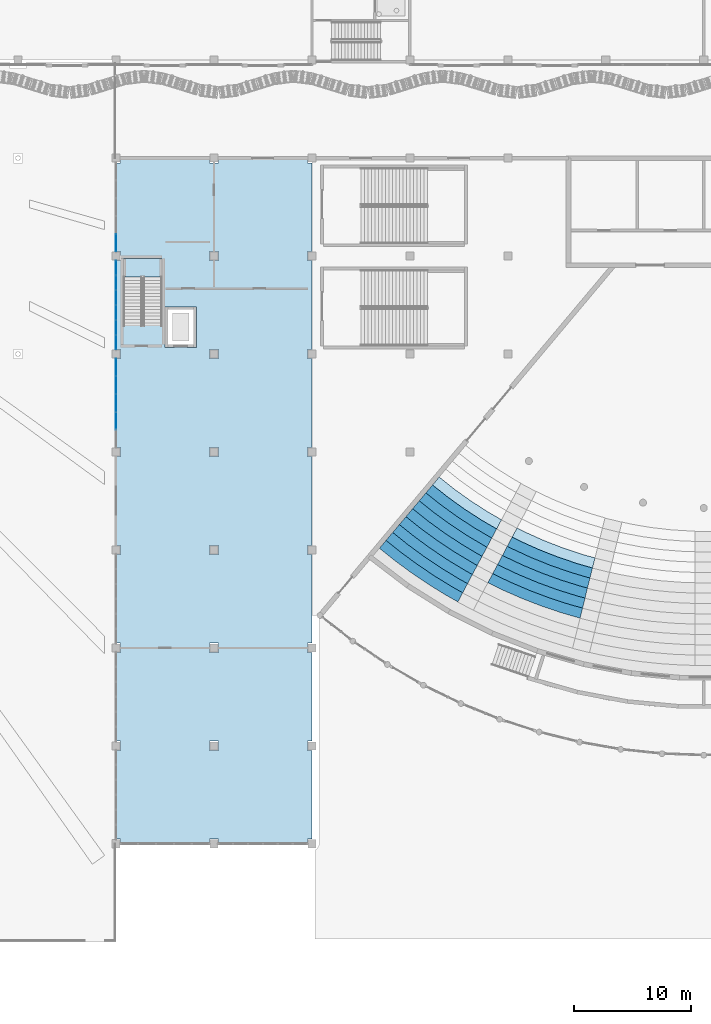
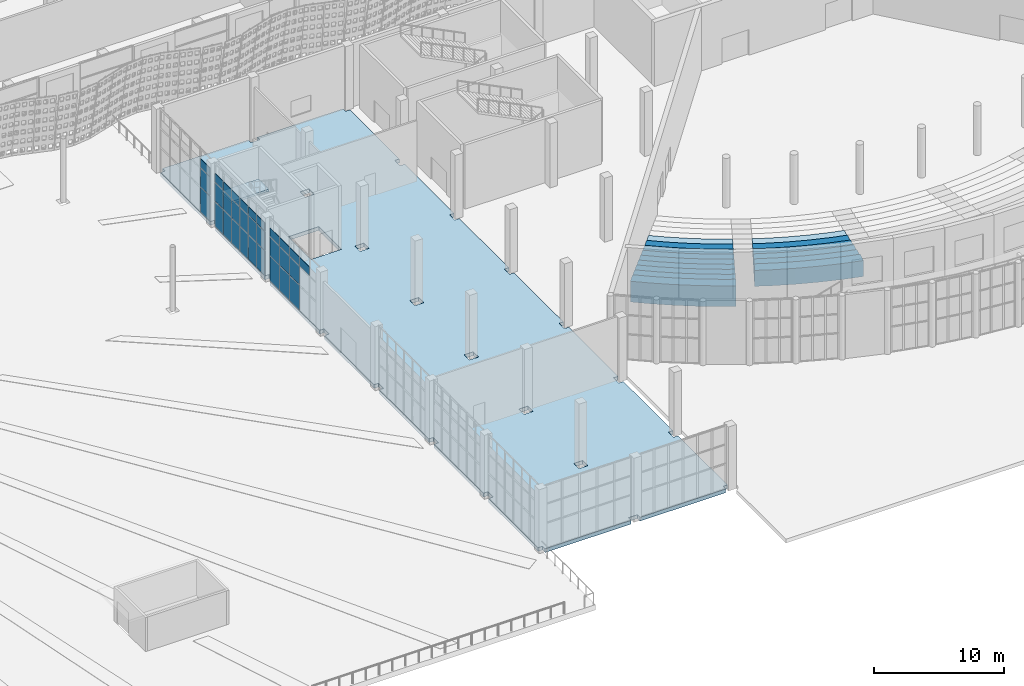
# One storey, part 85 of 210: 31 plates, 17 slabs, 4 elements without a shape of their own.
"""IFC4 building model written with IfcOpenShell, lengths in metres."""

from ifc_helpers import new_model, si_unit, direction, frame, origin, origin_2d, place, context, subcontext, project, spatial, polyline, rectangle, outline, extrude, material, layer, layer_set, type_object, element, aggregate, save


model = new_model("IFC4")

# Units and contexts
model_context = context("Model", 3, precision=1e-05, world=origin(), true_north=direction((0.0, 1.0)))
body_context = subcontext(model_context, "Body", "Model", "MODEL_VIEW")
ifc_project = project(units=[si_unit("LENGTHUNIT", "METRE"), si_unit("AREAUNIT", "SQUARE_METRE"), si_unit("VOLUMEUNIT", "CUBIC_METRE"), si_unit("PLANEANGLEUNIT", "RADIAN"), si_unit("MASSUNIT", "GRAM", prefix="KILO")], contexts=[model_context])

# Site, building, storey
site_placement = place(None, origin())
site = spatial("IfcSite", under=ifc_project, at=site_placement, CompositionType="ELEMENT")
building_placement = place(site_placement, origin())
building = spatial("IfcBuilding", under=site, at=building_placement, Name="Rain Tree Exposition and Congress Centre", CompositionType="ELEMENT")
storey_placement = place(building_placement, origin())
storey = spatial("IfcBuildingStorey", under=building, at=storey_placement, Name="L00", CompositionType="ELEMENT", Elevation=0.0)

# Slab
ifc_material_1 = material(Name="Precast concrete C50/60", Category="concrete")
ifc_layer_1 = layer(ifc_material_1, 0.35009765625)
ifc_layer_set_1 = layer_set([ifc_layer_1], Name="Precast concrete C50/60")
slab_type_1 = type_object("IfcSlabType", Name="Foyer deck slab 350", PredefinedType="FLOOR", material=ifc_layer_set_1)
slab_1_placement = place(storey_placement, frame((0.0, 0.0, -0.35009765625)))
element("IfcSlab", 1, at=slab_1_placement, inside=storey, type_object=slab_type_1, Name="Foyer deck", PredefinedType="FLOOR", context=body_context, shape_type="SweptSolid", body=[
    extrude(outline(polyline([(168.0, 8.800048828125), (168.0, 16.39990234375), (167.60009765625, 16.39990234375), (167.60009765625, 17.199951171875), (168.0, 17.199951171875), (168.0, 24.800048828125), (167.60009765625, 24.800048828125), (167.60009765625, 25.60009765625), (168.0, 25.60009765625), (168.0, 33.199951171875), (167.60009765625, 33.199951171875), (167.60009765625, 34.0), (168.0, 34.0), (168.0, 41.60009765625), (167.60009765625, 41.60009765625), (167.60009765625, 42.39990234375), (168.0, 42.39990234375), (168.0, 50.0), (167.60009765625, 50.0), (167.60009765625, 50.800048828125), (168.0, 50.800048828125), (168.0, 58.39990234375), (167.60009765625, 58.39990234375), (167.60009765625, 59.199951171875), (168.0, 59.199951171875), (168.0, 66.800048828125), (167.60009765625, 66.800048828125), (167.60009765625, 67.199951171875), (160.0, 67.199951171875), (160.0, 66.800048828125), (159.199951171875, 66.800048828125), (159.199951171875, 67.199951171875), (151.60009765625, 67.199951171875), (151.60009765625, 66.800048828125), (151.199951171875, 66.800048828125), (151.199951171875, 59.199951171875), (151.60009765625, 59.199951171875), (151.60009765625, 58.39990234375), (151.199951171875, 58.39990234375), (151.199951171875, 50.800048828125), (151.60009765625, 50.800048828125), (151.60009765625, 50.0), (151.199951171875, 50.0), (151.199951171875, 42.39990234375), (151.60009765625, 42.39990234375), (151.60009765625, 41.60009765625), (151.199951171875, 41.60009765625), (151.199951171875, 34.0), (151.60009765625, 34.0), (151.60009765625, 33.199951171875), (151.199951171875, 33.199951171875), (151.199951171875, 25.60009765625), (151.60009765625, 25.60009765625), (151.60009765625, 24.800048828125), (151.199951171875, 24.800048828125), (151.199951171875, 17.199951171875), (151.60009765625, 17.199951171875), (151.60009765625, 16.39990234375), (151.199951171875, 16.39990234375), (151.199951171875, 8.800048828125), (151.60009765625, 8.800048828125), (151.60009765625, 8.39990234375), (159.199951171875, 8.39990234375), (159.199951171875, 8.800048828125), (160.0, 8.800048828125), (160.0, 8.39990234375), (167.60009765625, 8.39990234375), (167.60009765625, 8.800048828125), (168.0, 8.800048828125)]), holes=[polyline([(160.0, 50.0), (160.0, 50.800048828125), (159.199951171875, 50.800048828125), (159.199951171875, 50.0), (160.0, 50.0)]), polyline([(158.10009765625, 54.449951171875), (155.39990234375, 54.449951171875), (155.39990234375, 50.949951171875), (158.10009765625, 50.949951171875), (158.10009765625, 54.449951171875)]), polyline([(160.0, 59.199951171875), (159.199951171875, 59.199951171875), (159.199951171875, 58.39990234375), (160.0, 58.39990234375), (160.0, 59.199951171875)]), polyline([(160.0, 16.39990234375), (160.0, 17.199951171875), (159.199951171875, 17.199951171875), (159.199951171875, 16.39990234375), (160.0, 16.39990234375)]), polyline([(160.0, 24.800048828125), (160.0, 25.60009765625), (159.199951171875, 25.60009765625), (159.199951171875, 24.800048828125), (160.0, 24.800048828125)]), polyline([(159.199951171875, 34.0), (159.199951171875, 33.199951171875), (160.0, 33.199951171875), (160.0, 34.0), (159.199951171875, 34.0)]), polyline([(160.0, 41.60009765625), (160.0, 42.39990234375), (159.199951171875, 42.39990234375), (159.199951171875, 41.60009765625), (160.0, 41.60009765625)])]), origin(), (0.0, 0.0, 1.0), 0.35009765625),
])

# Curtain wall, plates
ifc_material_2 = material(Name="Aluminium", Category="aluminium")
ifc_layer_2 = layer(ifc_material_2, 0.10009765625)
ifc_layer_set_2 = layer_set([ifc_layer_2], Name="Aluminium")
curtain_wall_type = type_object("IfcCurtainWallType", Name="Curtain wall congress", PredefinedType="NOTDEFINED", material=ifc_layer_set_2)
curtain_wall_1_placement = place(storey_placement, origin())
curtain_wall_1 = element("IfcCurtainWall", 2, at=curtain_wall_1_placement, inside=storey, type_object=curtain_wall_type, Name="Foyer curtain wall L00 bay 5", PredefinedType="NOTDEFINED")
ifc_material_3 = material(Name="Double glazed unit", Category="glass")
ifc_layer_3 = layer(ifc_material_3, 0.028076171875)
ifc_layer_set_3 = layer_set([ifc_layer_3], Name="Double glazed unit")
plate_type = type_object("IfcPlateType", Name="Glazing panel 28 congress", PredefinedType="CURTAIN_PANEL", material=ifc_layer_set_3)
plate_1_placement = place(storey_placement, frame((151.199951171875, 44.659912109375, 4.22998046875), z_axis=(0.0, 0.0, 1.0), x_axis=(0.0, 1.0, 0.0)))
plate_1 = element("IfcPlate", 3, at=plate_1_placement, type_object=plate_type, Name="CWG305 panel 2.3", PredefinedType="CURTAIN_PANEL", context=body_context, shape_type="SweptSolid", body=[
    extrude(rectangle(XDim=1.47998046875, YDim=0.028076171875, at=origin_2d()), origin(), (0.0, 0.0, 1.0), 0.7900390625),
])
plate_2_placement = place(storey_placement, frame((151.199951171875, 46.199951171875, 0.06005859375), z_axis=(0.0, 0.0, 1.0), x_axis=(0.0, 1.0, 0.0)))
plate_2 = element("IfcPlate", 4, at=plate_2_placement, type_object=plate_type, Name="CWG305 panel 3.1", PredefinedType="CURTAIN_PANEL", context=body_context, shape_type="SweptSolid", body=[
    extrude(rectangle(XDim=1.47998046875, YDim=0.028076171875, at=origin_2d()), origin(), (0.0, 0.0, 1.0), 2.31005859375),
])
plate_3_placement = place(storey_placement, frame((151.199951171875, 46.199951171875, 2.43017578125), z_axis=(0.0, 0.0, 1.0), x_axis=(0.0, 1.0, 0.0)))
plate_3 = element("IfcPlate", 5, at=plate_3_placement, type_object=plate_type, Name="CWG305 panel 3.2", PredefinedType="CURTAIN_PANEL", context=body_context, shape_type="SweptSolid", body=[
    extrude(rectangle(XDim=1.47998046875, YDim=0.028076171875, at=origin_2d()), origin(), (0.0, 0.0, 1.0), 1.739990234375),
])
plate_4_placement = place(storey_placement, frame((151.199951171875, 46.199951171875, 4.22998046875), z_axis=(0.0, 0.0, 1.0), x_axis=(0.0, 1.0, 0.0)))
plate_4 = element("IfcPlate", 6, at=plate_4_placement, type_object=plate_type, Name="CWG305 panel 3.3", PredefinedType="CURTAIN_PANEL", context=body_context, shape_type="SweptSolid", body=[
    extrude(rectangle(XDim=1.47998046875, YDim=0.028076171875, at=origin_2d()), origin(), (0.0, 0.0, 1.0), 0.7900390625),
])
plate_5_placement = place(storey_placement, frame((151.199951171875, 47.739990234375, 0.06005859375), z_axis=(0.0, 0.0, 1.0), x_axis=(0.0, 1.0, 0.0)))
plate_5 = element("IfcPlate", 7, at=plate_5_placement, type_object=plate_type, Name="CWG305 panel 4.1", PredefinedType="CURTAIN_PANEL", context=body_context, shape_type="SweptSolid", body=[
    extrude(rectangle(XDim=1.47998046875, YDim=0.028076171875, at=origin_2d()), origin(), (0.0, 0.0, 1.0), 2.31005859375),
])
plate_6_placement = place(storey_placement, frame((151.199951171875, 47.739990234375, 2.43017578125), z_axis=(0.0, 0.0, 1.0), x_axis=(0.0, 1.0, 0.0)))
plate_6 = element("IfcPlate", 8, at=plate_6_placement, type_object=plate_type, Name="CWG305 panel 4.2", PredefinedType="CURTAIN_PANEL", context=body_context, shape_type="SweptSolid", body=[
    extrude(rectangle(XDim=1.47998046875, YDim=0.028076171875, at=origin_2d()), origin(), (0.0, 0.0, 1.0), 1.739990234375),
])
plate_7_placement = place(storey_placement, frame((151.199951171875, 47.739990234375, 4.22998046875), z_axis=(0.0, 0.0, 1.0), x_axis=(0.0, 1.0, 0.0)))
plate_7 = element("IfcPlate", 9, at=plate_7_placement, type_object=plate_type, Name="CWG305 panel 4.3", PredefinedType="CURTAIN_PANEL", context=body_context, shape_type="SweptSolid", body=[
    extrude(rectangle(XDim=1.47998046875, YDim=0.028076171875, at=origin_2d()), origin(), (0.0, 0.0, 1.0), 0.7900390625),
])
plate_8_placement = place(storey_placement, frame((151.199951171875, 49.264892578125, 0.06005859375), z_axis=(0.0, 0.0, 1.0), x_axis=(0.0, 1.0, 0.0)))
plate_8 = element("IfcPlate", 10, at=plate_8_placement, type_object=plate_type, Name="CWG305 panel 5.1", PredefinedType="CURTAIN_PANEL", context=body_context, shape_type="SweptSolid", body=[
    extrude(rectangle(XDim=1.449951171875, YDim=0.028076171875, at=origin_2d()), origin(), (0.0, 0.0, 1.0), 2.31005859375),
])
plate_9_placement = place(storey_placement, frame((151.199951171875, 49.264892578125, 2.43017578125), z_axis=(0.0, 0.0, 1.0), x_axis=(0.0, 1.0, 0.0)))
plate_9 = element("IfcPlate", 11, at=plate_9_placement, type_object=plate_type, Name="CWG305 panel 5.2", PredefinedType="CURTAIN_PANEL", context=body_context, shape_type="SweptSolid", body=[
    extrude(rectangle(XDim=1.449951171875, YDim=0.028076171875, at=origin_2d()), origin(), (0.0, 0.0, 1.0), 1.739990234375),
])
plate_10_placement = place(storey_placement, frame((151.199951171875, 49.264892578125, 4.22998046875), z_axis=(0.0, 0.0, 1.0), x_axis=(0.0, 1.0, 0.0)))
plate_10 = element("IfcPlate", 12, at=plate_10_placement, type_object=plate_type, Name="CWG305 panel 5.3", PredefinedType="CURTAIN_PANEL", context=body_context, shape_type="SweptSolid", body=[
    extrude(rectangle(XDim=1.449951171875, YDim=0.028076171875, at=origin_2d()), origin(), (0.0, 0.0, 1.0), 0.7900390625),
])
aggregate(curtain_wall_1, [plate_1, plate_2, plate_3, plate_4, plate_5, plate_6, plate_7, plate_8, plate_9, plate_10])

curtain_wall_2_placement = place(storey_placement, origin())
curtain_wall_2 = element("IfcCurtainWall", 13, at=curtain_wall_2_placement, inside=storey, type_object=curtain_wall_type, Name="Foyer curtain wall L00 bay 6", PredefinedType="NOTDEFINED")
plate_11_placement = place(storey_placement, frame((151.199951171875, 51.40673828125, 0.06005859375), z_axis=(0.0, 0.0, 1.0), x_axis=(0.0, 1.0, 0.0)))
plate_11 = element("IfcPlate", 14, at=plate_11_placement, type_object=plate_type, Name="CWG306 panel 1.1", PredefinedType="CURTAIN_PANEL", context=body_context, shape_type="SweptSolid", body=[
    extrude(rectangle(XDim=1.193359375, YDim=0.028076171875, at=origin_2d()), origin(), (0.0, 0.0, 1.0), 2.31005859375),
])
plate_12_placement = place(storey_placement, frame((151.199951171875, 51.40673828125, 2.43017578125), z_axis=(0.0, 0.0, 1.0), x_axis=(0.0, 1.0, 0.0)))
plate_12 = element("IfcPlate", 15, at=plate_12_placement, type_object=plate_type, Name="CWG306 panel 1.2", PredefinedType="CURTAIN_PANEL", context=body_context, shape_type="SweptSolid", body=[
    extrude(rectangle(XDim=1.193359375, YDim=0.028076171875, at=origin_2d()), origin(), (0.0, 0.0, 1.0), 1.739990234375),
])
plate_13_placement = place(storey_placement, frame((151.199951171875, 51.40673828125, 4.22998046875), z_axis=(0.0, 0.0, 1.0), x_axis=(0.0, 1.0, 0.0)))
plate_13 = element("IfcPlate", 16, at=plate_13_placement, type_object=plate_type, Name="CWG306 panel 1.3", PredefinedType="CURTAIN_PANEL", context=body_context, shape_type="SweptSolid", body=[
    extrude(rectangle(XDim=1.193359375, YDim=0.028076171875, at=origin_2d()), origin(), (0.0, 0.0, 1.0), 0.7900390625),
])
plate_14_placement = place(storey_placement, frame((151.199951171875, 52.675048828125, 0.06005859375), z_axis=(0.0, 0.0, 1.0), x_axis=(0.0, 1.0, 0.0)))
plate_14 = element("IfcPlate", 17, at=plate_14_placement, type_object=plate_type, Name="CWG306 panel 2.1", PredefinedType="CURTAIN_PANEL", context=body_context, shape_type="SweptSolid", body=[
    extrude(rectangle(XDim=1.223388671875, YDim=0.028076171875, at=origin_2d()), origin(), (0.0, 0.0, 1.0), 2.31005859375),
])
plate_15_placement = place(storey_placement, frame((151.199951171875, 52.675048828125, 2.43017578125), z_axis=(0.0, 0.0, 1.0), x_axis=(0.0, 1.0, 0.0)))
plate_15 = element("IfcPlate", 18, at=plate_15_placement, type_object=plate_type, Name="CWG306 panel 2.2", PredefinedType="CURTAIN_PANEL", context=body_context, shape_type="SweptSolid", body=[
    extrude(rectangle(XDim=1.223388671875, YDim=0.028076171875, at=origin_2d()), origin(), (0.0, 0.0, 1.0), 1.739990234375),
])
plate_16_placement = place(storey_placement, frame((151.199951171875, 52.675048828125, 4.22998046875), z_axis=(0.0, 0.0, 1.0), x_axis=(0.0, 1.0, 0.0)))
plate_16 = element("IfcPlate", 19, at=plate_16_placement, type_object=plate_type, Name="CWG306 panel 2.3", PredefinedType="CURTAIN_PANEL", context=body_context, shape_type="SweptSolid", body=[
    extrude(rectangle(XDim=1.223388671875, YDim=0.028076171875, at=origin_2d()), origin(), (0.0, 0.0, 1.0), 0.7900390625),
])
plate_17_placement = place(storey_placement, frame((151.199951171875, 53.958251953125, 0.06005859375), z_axis=(0.0, 0.0, 1.0), x_axis=(0.0, 1.0, 0.0)))
plate_17 = element("IfcPlate", 20, at=plate_17_placement, type_object=plate_type, Name="CWG306 panel 3.1", PredefinedType="CURTAIN_PANEL", context=body_context, shape_type="SweptSolid", body=[
    extrude(rectangle(XDim=1.223388671875, YDim=0.028076171875, at=origin_2d()), origin(), (0.0, 0.0, 1.0), 2.31005859375),
])
plate_18_placement = place(storey_placement, frame((151.199951171875, 53.958251953125, 2.43017578125), z_axis=(0.0, 0.0, 1.0), x_axis=(0.0, 1.0, 0.0)))
plate_18 = element("IfcPlate", 21, at=plate_18_placement, type_object=plate_type, Name="CWG306 panel 3.2", PredefinedType="CURTAIN_PANEL", context=body_context, shape_type="SweptSolid", body=[
    extrude(rectangle(XDim=1.223388671875, YDim=0.028076171875, at=origin_2d()), origin(), (0.0, 0.0, 1.0), 1.739990234375),
])
plate_19_placement = place(storey_placement, frame((151.199951171875, 53.958251953125, 4.22998046875), z_axis=(0.0, 0.0, 1.0), x_axis=(0.0, 1.0, 0.0)))
plate_19 = element("IfcPlate", 22, at=plate_19_placement, type_object=plate_type, Name="CWG306 panel 3.3", PredefinedType="CURTAIN_PANEL", context=body_context, shape_type="SweptSolid", body=[
    extrude(rectangle(XDim=1.223388671875, YDim=0.028076171875, at=origin_2d()), origin(), (0.0, 0.0, 1.0), 0.7900390625),
])
plate_20_placement = place(storey_placement, frame((151.199951171875, 55.24169921875, 0.06005859375), z_axis=(0.0, 0.0, 1.0), x_axis=(0.0, 1.0, 0.0)))
plate_20 = element("IfcPlate", 23, at=plate_20_placement, type_object=plate_type, Name="CWG306 panel 4.1", PredefinedType="CURTAIN_PANEL", context=body_context, shape_type="SweptSolid", body=[
    extrude(rectangle(XDim=1.223388671875, YDim=0.028076171875, at=origin_2d()), origin(), (0.0, 0.0, 1.0), 2.31005859375),
])
plate_21_placement = place(storey_placement, frame((151.199951171875, 55.24169921875, 2.43017578125), z_axis=(0.0, 0.0, 1.0), x_axis=(0.0, 1.0, 0.0)))
plate_21 = element("IfcPlate", 24, at=plate_21_placement, type_object=plate_type, Name="CWG306 panel 4.2", PredefinedType="CURTAIN_PANEL", context=body_context, shape_type="SweptSolid", body=[
    extrude(rectangle(XDim=1.223388671875, YDim=0.028076171875, at=origin_2d()), origin(), (0.0, 0.0, 1.0), 1.739990234375),
])
plate_22_placement = place(storey_placement, frame((151.199951171875, 55.24169921875, 4.22998046875), z_axis=(0.0, 0.0, 1.0), x_axis=(0.0, 1.0, 0.0)))
plate_22 = element("IfcPlate", 25, at=plate_22_placement, type_object=plate_type, Name="CWG306 panel 4.3", PredefinedType="CURTAIN_PANEL", context=body_context, shape_type="SweptSolid", body=[
    extrude(rectangle(XDim=1.223388671875, YDim=0.028076171875, at=origin_2d()), origin(), (0.0, 0.0, 1.0), 0.7900390625),
])
plate_23_placement = place(storey_placement, frame((151.199951171875, 56.52490234375, 0.06005859375), z_axis=(0.0, 0.0, 1.0), x_axis=(0.0, 1.0, 0.0)))
plate_23 = element("IfcPlate", 26, at=plate_23_placement, type_object=plate_type, Name="CWG306 panel 5.1", PredefinedType="CURTAIN_PANEL", context=body_context, shape_type="SweptSolid", body=[
    extrude(rectangle(XDim=1.223388671875, YDim=0.028076171875, at=origin_2d()), origin(), (0.0, 0.0, 1.0), 2.31005859375),
])
plate_24_placement = place(storey_placement, frame((151.199951171875, 56.52490234375, 2.43017578125), z_axis=(0.0, 0.0, 1.0), x_axis=(0.0, 1.0, 0.0)))
plate_24 = element("IfcPlate", 27, at=plate_24_placement, type_object=plate_type, Name="CWG306 panel 5.2", PredefinedType="CURTAIN_PANEL", context=body_context, shape_type="SweptSolid", body=[
    extrude(rectangle(XDim=1.223388671875, YDim=0.028076171875, at=origin_2d()), origin(), (0.0, 0.0, 1.0), 1.739990234375),
])
plate_25_placement = place(storey_placement, frame((151.199951171875, 56.52490234375, 4.22998046875), z_axis=(0.0, 0.0, 1.0), x_axis=(0.0, 1.0, 0.0)))
plate_25 = element("IfcPlate", 28, at=plate_25_placement, type_object=plate_type, Name="CWG306 panel 5.3", PredefinedType="CURTAIN_PANEL", context=body_context, shape_type="SweptSolid", body=[
    extrude(rectangle(XDim=1.223388671875, YDim=0.028076171875, at=origin_2d()), origin(), (0.0, 0.0, 1.0), 0.7900390625),
])
plate_26_placement = place(storey_placement, frame((151.199951171875, 57.793212890625, 0.06005859375), z_axis=(0.0, 0.0, 1.0), x_axis=(0.0, 1.0, 0.0)))
plate_26 = element("IfcPlate", 29, at=plate_26_placement, type_object=plate_type, Name="CWG306 panel 6.1", PredefinedType="CURTAIN_PANEL", context=body_context, shape_type="SweptSolid", body=[
    extrude(rectangle(XDim=1.193359375, YDim=0.028076171875, at=origin_2d()), origin(), (0.0, 0.0, 1.0), 2.31005859375),
])
plate_27_placement = place(storey_placement, frame((151.199951171875, 57.793212890625, 2.43017578125), z_axis=(0.0, 0.0, 1.0), x_axis=(0.0, 1.0, 0.0)))
plate_27 = element("IfcPlate", 30, at=plate_27_placement, type_object=plate_type, Name="CWG306 panel 6.2", PredefinedType="CURTAIN_PANEL", context=body_context, shape_type="SweptSolid", body=[
    extrude(rectangle(XDim=1.193359375, YDim=0.028076171875, at=origin_2d()), origin(), (0.0, 0.0, 1.0), 1.739990234375),
])
plate_28_placement = place(storey_placement, frame((151.199951171875, 57.793212890625, 4.22998046875), z_axis=(0.0, 0.0, 1.0), x_axis=(0.0, 1.0, 0.0)))
plate_28 = element("IfcPlate", 31, at=plate_28_placement, type_object=plate_type, Name="CWG306 panel 6.3", PredefinedType="CURTAIN_PANEL", context=body_context, shape_type="SweptSolid", body=[
    extrude(rectangle(XDim=1.193359375, YDim=0.028076171875, at=origin_2d()), origin(), (0.0, 0.0, 1.0), 0.7900390625),
])
aggregate(curtain_wall_2, [plate_11, plate_12, plate_13, plate_14, plate_15, plate_16, plate_17, plate_18, plate_19, plate_20, plate_21, plate_22, plate_23, plate_24, plate_25, plate_26, plate_27, plate_28])

curtain_wall_3_placement = place(storey_placement, origin())
curtain_wall_3 = element("IfcCurtainWall", 32, at=curtain_wall_3_placement, inside=storey, type_object=curtain_wall_type, Name="Foyer curtain wall L00 bay 7", PredefinedType="NOTDEFINED")
plate_29_placement = place(storey_placement, frame((151.199951171875, 59.93505859375, 0.06005859375), z_axis=(0.0, 0.0, 1.0), x_axis=(0.0, 1.0, 0.0)))
plate_29 = element("IfcPlate", 33, at=plate_29_placement, type_object=plate_type, Name="CWG307 panel 1.1", PredefinedType="CURTAIN_PANEL", context=body_context, shape_type="SweptSolid", body=[
    extrude(rectangle(XDim=1.449951171875, YDim=0.028076171875, at=origin_2d()), origin(), (0.0, 0.0, 1.0), 2.31005859375),
])
plate_30_placement = place(storey_placement, frame((151.199951171875, 59.93505859375, 2.43017578125), z_axis=(0.0, 0.0, 1.0), x_axis=(0.0, 1.0, 0.0)))
plate_30 = element("IfcPlate", 34, at=plate_30_placement, type_object=plate_type, Name="CWG307 panel 1.2", PredefinedType="CURTAIN_PANEL", context=body_context, shape_type="SweptSolid", body=[
    extrude(rectangle(XDim=1.449951171875, YDim=0.028076171875, at=origin_2d()), origin(), (0.0, 0.0, 1.0), 1.739990234375),
])
plate_31_placement = place(storey_placement, frame((151.199951171875, 59.93505859375, 4.22998046875), z_axis=(0.0, 0.0, 1.0), x_axis=(0.0, 1.0, 0.0)))
plate_31 = element("IfcPlate", 35, at=plate_31_placement, type_object=plate_type, Name="CWG307 panel 1.3", PredefinedType="CURTAIN_PANEL", context=body_context, shape_type="SweptSolid", body=[
    extrude(rectangle(XDim=1.449951171875, YDim=0.028076171875, at=origin_2d()), origin(), (0.0, 0.0, 1.0), 0.7900390625),
])
aggregate(curtain_wall_3, [plate_29, plate_30, plate_31])

# Stair, slab
ifc_material_4 = material(Name="Concrete C40/50", Category="concrete")
stair_type = type_object("IfcStairType", Name="Half-turn stair congress", PredefinedType="HALF_TURN_STAIR", material=ifc_material_4)
stair_placement = place(storey_placement, origin())
stair = element("IfcStair", 36, at=stair_placement, inside=storey, type_object=stair_type, Name="L00 Stair ST-G1", PredefinedType="HALF_TURN_STAIR")
ifc_material_5 = material(Name="Concrete C40/50", Category="concrete")
ifc_layer_4 = layer(ifc_material_5, 0.199951171875)
ifc_layer_set_4 = layer_set([ifc_layer_4], Name="Concrete C40/50")
slab_type_2 = type_object("IfcSlabType", Name="Stair landing slab 200", PredefinedType="LANDING", material=ifc_layer_set_4)
slab_2_placement = place(storey_placement, frame((0.0, 0.0, 2.800048828125)))
slab_2 = element("IfcSlab", 37, at=slab_2_placement, type_object=slab_type_2, Name="ST-G1 landing 1", PredefinedType="LANDING", context=body_context, shape_type="SweptSolid", body=[
    extrude(outline(polyline([(155.14990234375, 57.0), (155.14990234375, 58.60009765625), (151.85009765625, 58.60009765625), (151.85009765625, 57.0), (155.14990234375, 57.0)])), origin(), (0.0, 0.0, 1.0), 0.199951171875),
])
aggregate(stair, [slab_2])

# Slabs
ifc_material_6 = material(Name="Precast concrete C50/60", Category="concrete")
ifc_layer_5 = layer(ifc_material_6, 0.300048828125)
ifc_layer_set_5 = layer_set([ifc_layer_5], Name="Precast concrete C50/60")
slab_type_3 = type_object("IfcSlabType", Name="Terrace step slab 300", PredefinedType="FLOOR", material=ifc_layer_set_5)
slab_3_placement = place(storey_placement, origin())
element("IfcSlab", 38, at=slab_3_placement, inside=storey, type_object=slab_type_3, Name="Stalls tier row 5", ObjectType="SEATING TIER", PredefinedType="USERDEFINED", context=body_context, shape_type="SweptSolid", body=[
    extrude(outline(polyline([(182.60498046875, 36.11572265625), (183.8427734375, 35.401123046875), (184.2587890625, 36.183349609375), (183.066650390625, 36.87158203125), (181.577880859375, 37.8330078125), (180.13916015625, 38.86767578125), (178.909912109375, 39.847900390625), (178.340576171875, 39.16943359375), (179.604248046875, 38.16162109375), (181.0791015625, 37.101318359375), (182.60498046875, 36.11572265625)])), origin(), (0.0, 0.0, 1.0), 0.75),
])
slab_4_placement = place(storey_placement, origin())
element("IfcSlab", 39, at=slab_4_placement, inside=storey, type_object=slab_type_3, Name="Stalls tier row 5", ObjectType="SEATING TIER", PredefinedType="USERDEFINED", context=body_context, shape_type="SweptSolid", body=[
    extrude(outline(polyline([(190.862548828125, 32.389892578125), (192.063720703125, 32.052001953125), (192.27783203125, 32.911376953125), (191.12353515625, 33.236083984375), (189.443603515625, 33.800537109375), (187.7939453125, 34.447998046875), (186.178466796875, 35.177001953125), (185.58447265625, 35.481689453125), (185.168701171875, 34.69970703125), (185.794189453125, 34.37890625), (187.449951171875, 33.6318359375), (189.140625, 32.96826171875), (190.862548828125, 32.389892578125)])), origin(), (0.0, 0.0, 1.0), 0.75),
])
slab_5_placement = place(storey_placement, origin())
element("IfcSlab", 40, at=slab_5_placement, inside=storey, type_object=slab_type_3, Name="Stalls tier row 6", ObjectType="SEATING TIER", PredefinedType="USERDEFINED", context=body_context, shape_type="SweptSolid", body=[
    extrude(outline(polyline([(181.97900390625, 35.4609375), (183.424560546875, 34.614501953125), (183.8427734375, 35.401123046875), (182.60498046875, 36.11572265625), (181.0791015625, 37.101318359375), (179.604248046875, 38.16162109375), (178.340576171875, 39.16943359375), (177.771240234375, 38.49072265625), (179.018310546875, 37.494384765625), (180.47412109375, 36.44189453125), (181.97900390625, 35.4609375)])), origin(), (0.0, 0.0, 1.0), 0.89990234375),
])
slab_6_placement = place(storey_placement, origin())
element("IfcSlab", 41, at=slab_6_placement, inside=storey, type_object=slab_type_3, Name="Stalls tier row 6", ObjectType="SEATING TIER", PredefinedType="USERDEFINED", context=body_context, shape_type="SweptSolid", body=[
    extrude(outline(polyline([(191.833984375, 31.186279296875), (191.846923828125, 31.18310546875), (192.063720703125, 32.052001953125), (190.862548828125, 32.389892578125), (189.140625, 32.96826171875), (187.449951171875, 33.6318359375), (185.794189453125, 34.37890625), (185.168701171875, 34.69970703125), (184.75146484375, 33.914794921875), (185.12158203125, 33.721435546875), (186.751953125, 32.967041015625), (188.41650390625, 32.292236328125), (190.112060546875, 31.6982421875), (191.833984375, 31.186279296875)])), origin(), (0.0, 0.0, 1.0), 0.89990234375),
])
slab_7_placement = place(storey_placement, origin())
element("IfcSlab", 42, at=slab_7_placement, inside=storey, type_object=slab_type_3, Name="Stalls tier row 7", ObjectType="SEATING TIER", PredefinedType="USERDEFINED", context=body_context, shape_type="SweptSolid", body=[
    extrude(outline(polyline([(182.88623046875, 33.897705078125), (183.0087890625, 33.83251953125), (183.424560546875, 34.614501953125), (181.97900390625, 35.4609375), (180.47412109375, 36.44189453125), (179.018310546875, 37.494384765625), (177.771240234375, 38.49072265625), (177.20166015625, 37.81201171875), (178.43359375, 36.826416015625), (179.871826171875, 35.781494140625), (181.357177734375, 34.8046875), (182.88623046875, 33.897705078125)])), origin(), (0.0, 0.0, 1.0), 1.050048828125),
])
slab_8_placement = place(storey_placement, origin())
element("IfcSlab", 43, at=slab_8_placement, inside=storey, type_object=slab_type_3, Name="Stalls tier row 7", ObjectType="SEATING TIER", PredefinedType="USERDEFINED", context=body_context, shape_type="SweptSolid", body=[
    extrude(outline(polyline([(191.07080078125, 30.479736328125), (191.635009765625, 30.332275390625), (191.846923828125, 31.18310546875), (191.833984375, 31.186279296875), (190.112060546875, 31.6982421875), (188.41650390625, 32.292236328125), (186.751953125, 32.967041015625), (185.12158203125, 33.721435546875), (184.75146484375, 33.914794921875), (184.333251953125, 33.12841796875), (184.455810546875, 33.063232421875), (186.062744140625, 32.302490234375), (187.703125, 31.617431640625), (189.37353515625, 31.009521484375), (191.07080078125, 30.479736328125)])), origin(), (0.0, 0.0, 1.0), 1.050048828125),
])
slab_9_placement = place(storey_placement, origin())
element("IfcSlab", 44, at=slab_9_placement, inside=storey, type_object=slab_type_3, Name="Stalls tier row 8", ObjectType="SEATING TIER", PredefinedType="USERDEFINED", context=body_context, shape_type="SweptSolid", body=[
    extrude(outline(polyline([(182.452392578125, 33.125732421875), (182.593017578125, 33.05078125), (183.0087890625, 33.83251953125), (182.88623046875, 33.897705078125), (181.357177734375, 34.8046875), (179.871826171875, 35.781494140625), (178.43359375, 36.826416015625), (177.20166015625, 37.81201171875), (176.63232421875, 37.133544921875), (177.896484375, 36.1220703125), (179.367919921875, 35.052978515625), (180.8876953125, 34.053466796875), (182.452392578125, 33.125732421875)])), origin(), (0.0, 0.0, 1.0), 1.199951171875),
])
slab_10_placement = place(storey_placement, origin())
element("IfcSlab", 45, at=slab_10_placement, inside=storey, type_object=slab_type_3, Name="Stalls tier row 8", ObjectType="SEATING TIER", PredefinedType="USERDEFINED", context=body_context, shape_type="SweptSolid", body=[
    extrude(outline(polyline([(190.826416015625, 29.62841796875), (191.420654296875, 29.472900390625), (191.635009765625, 30.332275390625), (191.07080078125, 30.479736328125), (189.37353515625, 31.009521484375), (187.703125, 31.617431640625), (186.062744140625, 32.302490234375), (184.455810546875, 33.063232421875), (184.333251953125, 33.12841796875), (183.91748046875, 32.3466796875), (184.058349609375, 32.271728515625), (185.702392578125, 31.493408203125), (187.380859375, 30.79248046875), (189.090087890625, 30.17041015625), (190.826416015625, 29.62841796875)])), origin(), (0.0, 0.0, 1.0), 1.199951171875),
])
slab_11_placement = place(storey_placement, origin())
element("IfcSlab", 46, at=slab_11_placement, inside=storey, type_object=slab_type_3, Name="Stalls tier row 9", ObjectType="SEATING TIER", PredefinedType="USERDEFINED", context=body_context, shape_type="SweptSolid", body=[
    extrude(outline(polyline([(181.8095703125, 32.4716796875), (182.17919921875, 32.272216796875), (182.593017578125, 33.05078125), (182.452392578125, 33.125732421875), (180.8876953125, 34.053466796875), (179.367919921875, 35.052978515625), (177.896484375, 36.1220703125), (176.63232421875, 37.133544921875), (176.06298828125, 36.455078125), (177.3115234375, 35.454345703125), (178.765625, 34.392822265625), (180.265869140625, 33.398193359375), (181.8095703125, 32.4716796875)])), origin(), (0.0, 0.0, 1.0), 1.35009765625),
])
slab_12_placement = place(storey_placement, origin())
element("IfcSlab", 47, at=slab_12_placement, inside=storey, type_object=slab_type_3, Name="Stalls tier row 9", ObjectType="SEATING TIER", PredefinedType="USERDEFINED", context=body_context, shape_type="SweptSolid", body=[
    extrude(outline(polyline([(190.064208984375, 28.929443359375), (191.206298828125, 28.613037109375), (191.420654296875, 29.472900390625), (190.826416015625, 29.62841796875), (189.090087890625, 30.17041015625), (187.380859375, 30.79248046875), (185.702392578125, 31.493408203125), (184.058349609375, 32.271728515625), (183.91748046875, 32.3466796875), (183.501220703125, 31.563720703125), (185.013916015625, 30.832275390625), (186.668212890625, 30.122314453125), (188.352783203125, 29.487548828125), (190.064208984375, 28.929443359375)])), origin(), (0.0, 0.0, 1.0), 1.35009765625),
])
slab_13_placement = place(storey_placement, origin())
element("IfcSlab", 48, at=slab_13_placement, inside=storey, type_object=slab_type_3, Name="Stalls tier row 10", ObjectType="SEATING TIER", PredefinedType="USERDEFINED", context=body_context, shape_type="SweptSolid", body=[
    extrude(outline(polyline([(181.17138671875, 31.816650390625), (181.76416015625, 31.49169921875), (182.17919921875, 32.272216796875), (181.8095703125, 32.4716796875), (180.265869140625, 33.398193359375), (178.765625, 34.392822265625), (177.3115234375, 35.454345703125), (176.06298828125, 36.455078125), (175.493408203125, 35.7763671875), (176.727783203125, 34.785888671875), (178.165283203125, 33.731689453125), (179.6474609375, 32.741455078125), (181.17138671875, 31.816650390625)])), origin(), (0.0, 0.0, 1.0), 1.5),
])
slab_14_placement = place(storey_placement, origin())
element("IfcSlab", 49, at=slab_14_placement, inside=storey, type_object=slab_type_3, Name="Stalls tier row 10", ObjectType="SEATING TIER", PredefinedType="USERDEFINED", context=body_context, shape_type="SweptSolid", body=[
    extrude(outline(polyline([(189.31396484375, 28.23388671875), (190.989990234375, 27.745361328125), (191.206298828125, 28.613037109375), (190.064208984375, 28.929443359375), (188.352783203125, 29.487548828125), (186.668212890625, 30.122314453125), (185.013916015625, 30.832275390625), (183.501220703125, 31.563720703125), (183.08740234375, 30.78515625), (184.3330078125, 30.1708984375), (185.964599609375, 29.452880859375), (187.6259765625, 28.806884765625), (189.31396484375, 28.23388671875)])), origin(), (0.0, 0.0, 1.0), 1.5),
])
slab_15_placement = place(storey_placement, origin())
element("IfcSlab", 50, at=slab_15_placement, inside=storey, type_object=slab_type_3, Name="Stalls tier row 11", ObjectType="SEATING TIER", PredefinedType="USERDEFINED", context=body_context, shape_type="SweptSolid", body=[
    extrude(outline(polyline([(180.728515625, 31.049560546875), (181.348388671875, 30.709716796875), (181.76416015625, 31.49169921875), (181.17138671875, 31.816650390625), (179.6474609375, 32.741455078125), (178.165283203125, 33.731689453125), (176.727783203125, 34.785888671875), (175.493408203125, 35.7763671875), (174.92431640625, 35.097900390625), (176.188720703125, 34.083251953125), (177.6572265625, 33.00634765625), (179.171630859375, 31.994384765625), (180.728515625, 31.049560546875)])), origin(), (0.0, 0.0, 1.0), 1.64990234375),
])
slab_16_placement = place(storey_placement, origin())
element("IfcSlab", 51, at=slab_16_placement, inside=storey, type_object=slab_type_3, Name="Stalls tier row 12", ObjectType="SEATING TIER", PredefinedType="USERDEFINED", context=body_context, shape_type="SweptSolid", body=[
    extrude(outline(polyline([(180.0908203125, 30.395751953125), (180.9326171875, 29.927490234375), (181.348388671875, 30.709716796875), (180.728515625, 31.049560546875), (179.171630859375, 31.994384765625), (177.6572265625, 33.00634765625), (176.188720703125, 34.083251953125), (174.92431640625, 35.097900390625), (174.354736328125, 34.419189453125), (175.604736328125, 33.414794921875), (177.056884765625, 32.345458984375), (178.55322265625, 31.338623046875), (180.0908203125, 30.395751953125)])), origin(), (0.0, 0.0, 1.0), 1.800048828125),
])
slab_17_placement = place(storey_placement, origin())
element("IfcSlab", 52, at=slab_17_placement, inside=storey, type_object=slab_type_3, Name="Stalls tier row 13", ObjectType="SEATING TIER", PredefinedType="USERDEFINED", context=body_context, shape_type="SweptSolid", body=[
    extrude(outline(polyline([(179.45703125, 29.740966796875), (180.515869140625, 29.14404296875), (180.9326171875, 29.927490234375), (180.0908203125, 30.395751953125), (178.55322265625, 31.338623046875), (177.056884765625, 32.345458984375), (175.604736328125, 33.414794921875), (174.354736328125, 34.419189453125), (173.785400390625, 33.74072265625), (175.021728515625, 32.745849609375), (176.45849609375, 31.683837890625), (177.93798828125, 30.681396484375), (179.45703125, 29.740966796875)])), origin(), (0.0, 0.0, 1.0), 1.949951171875),
])

save(model, "model.ifc")
